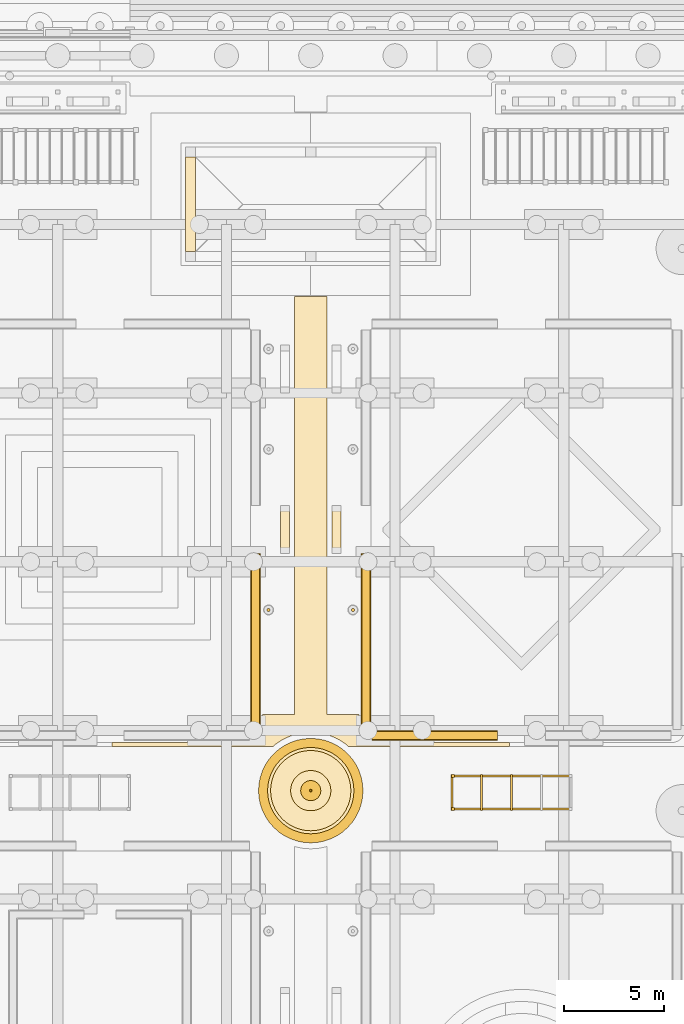
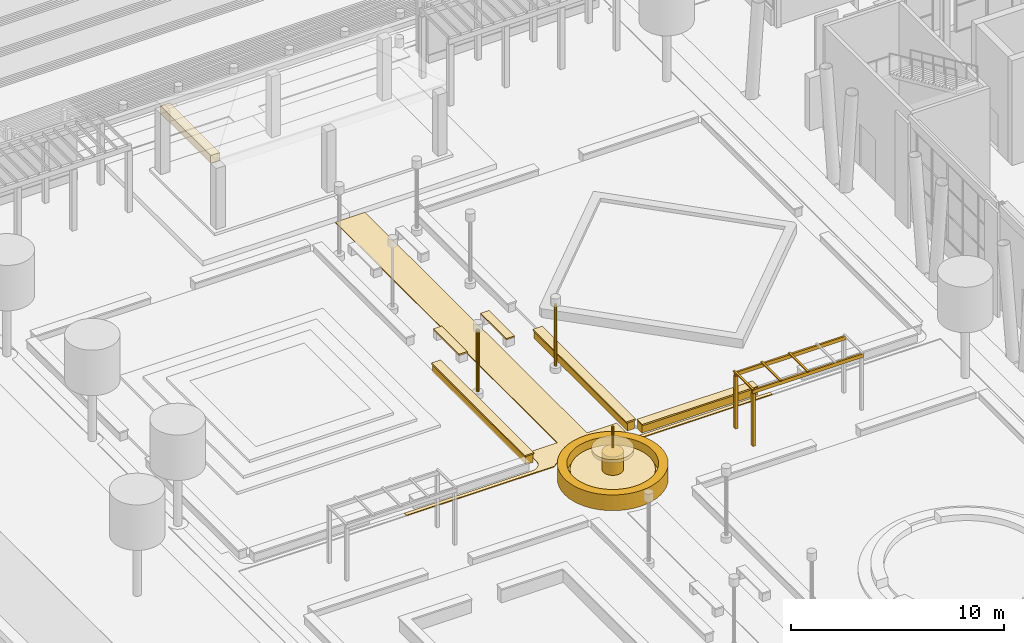
# One storey, part 141 of 222: 18 coverings, 7 shading devices.
"""IFC4 building model written with IfcOpenShell, lengths in metres."""

from ifc_helpers import new_model, si_unit, direction, frame, origin, origin_2d, place, context, subcontext, project, spatial, polyline, rectangle, circle, outline, extrude, material, layer, layer_set, material_profile, profile_set, type_object, element, save


model = new_model("IFC4")

# Units and contexts
model_context = context("Model", 3, precision=1e-05, world=origin(), true_north=direction((0.0, 1.0)))
body_context = subcontext(model_context, "Body", "Model", "MODEL_VIEW")
ifc_project = project(units=[si_unit("LENGTHUNIT", "METRE"), si_unit("AREAUNIT", "SQUARE_METRE"), si_unit("VOLUMEUNIT", "CUBIC_METRE"), si_unit("PLANEANGLEUNIT", "RADIAN"), si_unit("MASSUNIT", "GRAM", prefix="KILO")], contexts=[model_context])

# Site, building, storey
site_placement = place(None, origin())
site = spatial("IfcSite", under=ifc_project, at=site_placement, CompositionType="ELEMENT")
building_placement = place(site_placement, origin())
building = spatial("IfcBuilding", under=site, at=building_placement, Name="Sava Quay Ferry Terminal", CompositionType="ELEMENT")
storey_placement = place(building_placement, origin())
storey = spatial("IfcBuildingStorey", under=building, at=storey_placement, Name="L00", CompositionType="ELEMENT", Elevation=0.0)

# Coverings
ifc_material_1 = material(Name="Glulam GL28h", Category="wood")
ifc_layer_1 = layer(ifc_material_1, 0.449951171875)
ifc_layer_set_1 = layer_set([ifc_layer_1], Name="Glulam GL28h")
covering_type_1 = type_object("IfcCoveringType", Name="Bench seat 450", PredefinedType="CLADDING", material=ifc_layer_set_1)
covering_1_placement = place(storey_placement, frame((0.0, 0.0, 0.419921875)))
element("IfcCovering", 1, at=covering_1_placement, inside=storey, type_object=covering_type_1, Name="Bench seat", PredefinedType="CLADDING", context=body_context, shape_type="SweptSolid", body=[
    extrude(outline(polyline([(19.949951171875, 92.800048828125), (19.949951171875, 95.199951171875), (19.5, 95.199951171875), (19.5, 92.800048828125), (19.949951171875, 92.800048828125)])), origin(), (0.0, 0.0, 1.0), 0.080078125),
])
covering_2_placement = place(storey_placement, frame((0.0, 0.0, 0.419921875)))
element("IfcCovering", 2, at=covering_2_placement, inside=storey, type_object=covering_type_1, Name="Bench seat", PredefinedType="CLADDING", context=body_context, shape_type="SweptSolid", body=[
    extrude(outline(polyline([(22.5, 92.800048828125), (22.5, 95.199951171875), (22.050048828125, 95.199951171875), (22.050048828125, 92.800048828125), (22.5, 92.800048828125)])), origin(), (0.0, 0.0, 1.0), 0.080078125),
])
ifc_material_2 = material(Name="Steel S355", Category="steel")
ifc_layer_2 = layer(ifc_material_2, 0.159912109375)
ifc_layer_set_2 = layer_set([ifc_layer_2], Name="Steel S355")
covering_type_2 = type_object("IfcCoveringType", Name="Lamp standard column 160", PredefinedType="CLADDING", material=ifc_layer_set_2)
for number, where, z_axis, x_axis, name in (
    (3, (18.89990234375, 90.0, 3.800048828125), (0.0, 0.0, -1.0), (1.0, 0.0, 0.0), "Lamp standard column"),
    (4, (23.10009765625, 90.0, 3.800048828125), (0.0, 0.0, -1.0), (1.0, 0.0, 0.0), "Lamp standard column"),
):
    element("IfcCovering", number, at=place(storey_placement, frame(where, z_axis=z_axis, x_axis=x_axis)), inside=storey, type_object=covering_type_2, Name=name, PredefinedType="CLADDING", context=body_context, shape_type="SweptSolid", body=[
        extrude(circle(Radius=0.080078125, at=origin_2d()), origin(), (0.0, 0.0, 1.0), 3.5),
    ])

# Shading devices
ifc_material_3 = material(Name="Glulam GL28h", Category="wood")
ifc_material_profile_1 = material_profile(ifc_material_3, rectangle(XDim=0.10009765625, YDim=0.199951171875, at=origin_2d()), Name="Pergola 100 x 200")
ifc_profile_set_1 = profile_set([ifc_material_profile_1], Name="Glulam GL28h")
shading_device_type_1 = type_object("IfcShadingDeviceType", Name="Pergola beam 100x200", PredefinedType="USERDEFINED", material=ifc_profile_set_1)
for number, where, z_axis, x_axis, name in (
    (5, (28.0, 80.074951171875, 3.10009765625), (1.0, 0.0, 0.0), (0.0, 1.0, 0.0), "Pergola beam"),
    (6, (28.0, 81.72509765625, 3.10009765625), (1.0, 0.0, 0.0), (0.0, 1.0, 0.0), "Pergola beam"),
):
    element("IfcShadingDevice", number, at=place(storey_placement, frame(where, z_axis=z_axis, x_axis=x_axis)), inside=storey, type_object=shading_device_type_1, Name=name, ObjectType="PERGOLA BEAM", PredefinedType="USERDEFINED", context=body_context, shape_type="SweptSolid", body=[
        extrude(rectangle(XDim=0.10009765625, YDim=0.199951171875, at=origin_2d()), origin(), (0.0, 0.0, 1.0), 6.0),
    ])
ifc_material_4 = material(Name="Glulam GL28h", Category="wood")
ifc_material_profile_2 = material_profile(ifc_material_4, rectangle(XDim=0.14990234375, YDim=0.14990234375, at=origin_2d()), Name="Pergola 150 x 150")
ifc_profile_set_2 = profile_set([ifc_material_profile_2], Name="Glulam GL28h")
shading_device_type_2 = type_object("IfcShadingDeviceType", Name="Pergola post 150", PredefinedType="USERDEFINED", material=ifc_profile_set_2)
for number, where, z_axis, x_axis, name in (
    (7, (28.074951171875, 80.074951171875, 0.0), (0.0, 0.0, 1.0), (1.0, 0.0, 0.0), "Pergola post"),
    (8, (28.074951171875, 81.72509765625, 0.0), (0.0, 0.0, 1.0), (1.0, 0.0, 0.0), "Pergola post"),
):
    element("IfcShadingDevice", number, at=place(storey_placement, frame(where, z_axis=z_axis, x_axis=x_axis)), inside=storey, type_object=shading_device_type_2, Name=name, ObjectType="PERGOLA POST", PredefinedType="USERDEFINED", context=body_context, shape_type="SweptSolid", body=[
        extrude(rectangle(XDim=0.14990234375, YDim=0.14990234375, at=origin_2d()), origin(), (0.0, 0.0, 1.0), 3.0),
    ])
ifc_material_5 = material(Name="Glulam GL28h", Category="wood")
ifc_material_profile_3 = material_profile(ifc_material_5, rectangle(XDim=0.06005859375, YDim=0.10009765625, at=origin_2d()), Name="Pergola 60 x 100")
ifc_profile_set_3 = profile_set([ifc_material_profile_3], Name="Glulam GL28h")
shading_device_type_3 = type_object("IfcShadingDeviceType", Name="Pergola rafter 60x100", PredefinedType="USERDEFINED", material=ifc_profile_set_3)
for number, where, z_axis, x_axis, name in (
    (9, (28.030029296875, 80.0, 3.22998046875), (0.0, 1.0, 0.0), (0.0, 0.0, 1.0), "Pergola rafter"),
    (10, (29.514892578125, 80.0, 3.22998046875), (0.0, 1.0, 0.0), (0.0, 0.0, 1.0), "Pergola rafter"),
    (11, (31.0, 80.0, 3.22998046875), (0.0, 1.0, 0.0), (0.0, 0.0, 1.0), "Pergola rafter"),
):
    element("IfcShadingDevice", number, at=place(storey_placement, frame(where, z_axis=z_axis, x_axis=x_axis)), inside=storey, type_object=shading_device_type_3, Name=name, ObjectType="PERGOLA RAFTER", PredefinedType="USERDEFINED", context=body_context, shape_type="SweptSolid", body=[
        extrude(rectangle(XDim=0.06005859375, YDim=0.10009765625, at=origin_2d()), origin(), (0.0, 0.0, 1.0), 1.800048828125),
    ])

# Coverings
ifc_material_6 = material(Name="Limestone Mutalj", Category="masonry")
ifc_layer_3 = layer(ifc_material_6, 0.199951171875)
ifc_layer_set_3 = layer_set([ifc_layer_3], Name="Limestone Mutalj")
covering_type_3 = type_object("IfcCoveringType", Name="Plaza fountain bowl 2000", PredefinedType="MOLDING", material=ifc_layer_set_3)
covering_3_placement = place(storey_placement, frame((21.0, 81.0, 1.800048828125), z_axis=(0.0, 0.0, -1.0), x_axis=(1.0, 0.0, 0.0)))
element("IfcCovering", 12, at=covering_3_placement, inside=storey, type_object=covering_type_3, Name="Fountain bowl", PredefinedType="MOLDING", context=body_context, shape_type="SweptSolid", body=[
    extrude(circle(Radius=1.0, at=origin_2d()), origin(), (0.0, 0.0, 1.0), 0.199951171875),
])
ifc_material_7 = material(Name="Limestone Mutalj", Category="masonry")
ifc_layer_4 = layer(ifc_material_7, 0.25)
ifc_layer_set_4 = layer_set([ifc_layer_4], Name="Limestone Mutalj")
covering_type_4 = type_object("IfcCoveringType", Name="Plaza fountain floor 4300", PredefinedType="FLOORING", material=ifc_layer_set_4)
covering_4_placement = place(storey_placement, origin())
element("IfcCovering", 13, at=covering_4_placement, inside=storey, type_object=covering_type_4, Name="Fountain floor", PredefinedType="FLOORING", context=body_context, shape_type="SweptSolid", body=[
    extrude(outline(polyline([(23.14990234375, 81.0), (23.132080078125, 81.281005859375), (23.076904296875, 81.555908203125), (22.986083984375, 81.822998046875), (22.862060546875, 82.074951171875), (22.7060546875, 82.30908203125), (22.52001953125, 82.52001953125), (22.30908203125, 82.7060546875), (22.074951171875, 82.862060546875), (21.822998046875, 82.986083984375), (21.555908203125, 83.076904296875), (21.281005859375, 83.132080078125), (21.0, 83.14990234375), (20.718994140625, 83.132080078125), (20.444091796875, 83.076904296875), (20.177001953125, 82.986083984375), (19.925048828125, 82.862060546875), (19.69091796875, 82.7060546875), (19.47998046875, 82.52001953125), (19.2939453125, 82.30908203125), (19.137939453125, 82.074951171875), (19.013916015625, 81.822998046875), (18.923095703125, 81.555908203125), (18.867919921875, 81.281005859375), (18.85009765625, 81.0), (18.867919921875, 80.718994140625), (18.923095703125, 80.444091796875), (19.013916015625, 80.177001953125), (19.137939453125, 79.925048828125), (19.2939453125, 79.69091796875), (19.47998046875, 79.47998046875), (19.69091796875, 79.2939453125), (19.925048828125, 79.137939453125), (20.177001953125, 79.013916015625), (20.444091796875, 78.923095703125), (20.718994140625, 78.867919921875), (21.0, 78.85009765625), (21.281005859375, 78.867919921875), (21.555908203125, 78.923095703125), (21.822998046875, 79.013916015625), (22.074951171875, 79.137939453125), (22.30908203125, 79.2939453125), (22.52001953125, 79.47998046875), (22.7060546875, 79.69091796875), (22.862060546875, 79.925048828125), (22.986083984375, 80.177001953125), (23.076904296875, 80.444091796875), (23.132080078125, 80.718994140625), (23.14990234375, 81.0)])), origin(), (0.0, 0.0, 1.0), 0.25),
])
ifc_material_8 = material(Name="Water")
ifc_layer_5 = layer(ifc_material_8, 0.1201171875)
ifc_layer_set_5 = layer_set([ifc_layer_5], Name="Water")
covering_type_5 = type_object("IfcCoveringType", Name="Plaza fountain jet 120", PredefinedType="CLADDING", material=ifc_layer_set_5)
covering_5_placement = place(storey_placement, frame((21.0, 81.0, 3.0), z_axis=(0.0, 0.0, -1.0), x_axis=(1.0, 0.0, 0.0)))
element("IfcCovering", 14, at=covering_5_placement, inside=storey, type_object=covering_type_5, Name="Fountain jet", PredefinedType="CLADDING", context=body_context, shape_type="SweptSolid", body=[
    extrude(circle(Radius=0.06005859375, at=origin_2d()), origin(), (0.0, 0.0, 1.0), 1.199951171875),
])
ifc_material_9 = material(Name="Limestone Mutalj", Category="masonry")
ifc_layer_6 = layer(ifc_material_9, 1.0)
ifc_layer_set_6 = layer_set([ifc_layer_6], Name="Limestone Mutalj")
covering_type_6 = type_object("IfcCoveringType", Name="Plaza fountain pedestal 1000", PredefinedType="CLADDING", material=ifc_layer_set_6)
covering_6_placement = place(storey_placement, frame((21.0, 81.0, 1.60009765625), z_axis=(0.0, 0.0, -1.0), x_axis=(1.0, 0.0, 0.0)))
element("IfcCovering", 15, at=covering_6_placement, inside=storey, type_object=covering_type_6, Name="Fountain pedestal", PredefinedType="CLADDING", context=body_context, shape_type="SweptSolid", body=[
    extrude(circle(Radius=0.5, at=origin_2d()), origin(), (0.0, 0.0, 1.0), 1.35009765625),
])
ifc_material_10 = material(Name="Limestone Mutalj", Category="masonry")
ifc_layer_7 = layer(ifc_material_10, 0.449951171875)
ifc_layer_set_7 = layer_set([ifc_layer_7], Name="Limestone Mutalj")
covering_type_7 = type_object("IfcCoveringType", Name="Plaza fountain rim 450", PredefinedType="MOLDING", material=ifc_layer_set_7)
covering_7_placement = place(storey_placement, origin())
element("IfcCovering", 16, at=covering_7_placement, inside=storey, type_object=covering_type_7, Name="Fountain rim", PredefinedType="MOLDING", context=body_context, shape_type="SweptSolid", body=[
    extrude(outline(polyline([(23.577880859375, 80.660888671875), (23.60009765625, 81.0), (23.577880859375, 81.339111328125), (23.510986328125, 81.673095703125), (23.402099609375, 81.9951171875), (23.251953125, 82.300048828125), (23.06298828125, 82.5830078125), (22.837890625, 82.837890625), (22.5830078125, 83.06298828125), (22.300048828125, 83.251953125), (21.9951171875, 83.402099609375), (21.673095703125, 83.510986328125), (21.339111328125, 83.577880859375), (21.0, 83.60009765625), (20.660888671875, 83.577880859375), (20.326904296875, 83.510986328125), (20.0048828125, 83.402099609375), (19.699951171875, 83.251953125), (19.4169921875, 83.06298828125), (19.162109375, 82.837890625), (18.93701171875, 82.5830078125), (18.748046875, 82.300048828125), (18.597900390625, 81.9951171875), (18.489013671875, 81.673095703125), (18.422119140625, 81.339111328125), (18.39990234375, 81.0), (18.422119140625, 80.660888671875), (18.489013671875, 80.326904296875), (18.597900390625, 80.0048828125), (18.748046875, 79.699951171875), (18.93701171875, 79.4169921875), (19.162109375, 79.162109375), (19.4169921875, 78.93701171875), (19.699951171875, 78.748046875), (20.0048828125, 78.597900390625), (20.326904296875, 78.489013671875), (20.660888671875, 78.422119140625), (21.0, 78.39990234375), (21.339111328125, 78.422119140625), (21.673095703125, 78.489013671875), (21.9951171875, 78.597900390625), (22.300048828125, 78.748046875), (22.5830078125, 78.93701171875), (22.837890625, 79.162109375), (23.06298828125, 79.4169921875), (23.251953125, 79.699951171875), (23.402099609375, 80.0048828125), (23.510986328125, 80.326904296875), (23.577880859375, 80.660888671875)]), holes=[polyline([(23.132080078125, 81.281005859375), (23.14990234375, 81.0), (23.132080078125, 80.718994140625), (23.076904296875, 80.444091796875), (22.986083984375, 80.177001953125), (22.862060546875, 79.925048828125), (22.7060546875, 79.69091796875), (22.52001953125, 79.47998046875), (22.30908203125, 79.2939453125), (22.074951171875, 79.137939453125), (21.822998046875, 79.013916015625), (21.555908203125, 78.923095703125), (21.281005859375, 78.867919921875), (21.0, 78.85009765625), (20.718994140625, 78.867919921875), (20.444091796875, 78.923095703125), (20.177001953125, 79.013916015625), (19.925048828125, 79.137939453125), (19.69091796875, 79.2939453125), (19.47998046875, 79.47998046875), (19.2939453125, 79.69091796875), (19.137939453125, 79.925048828125), (19.013916015625, 80.177001953125), (18.923095703125, 80.444091796875), (18.867919921875, 80.718994140625), (18.85009765625, 81.0), (18.867919921875, 81.281005859375), (18.923095703125, 81.555908203125), (19.013916015625, 81.822998046875), (19.137939453125, 82.074951171875), (19.2939453125, 82.30908203125), (19.47998046875, 82.52001953125), (19.69091796875, 82.7060546875), (19.925048828125, 82.862060546875), (20.177001953125, 82.986083984375), (20.444091796875, 83.076904296875), (20.718994140625, 83.132080078125), (21.0, 83.14990234375), (21.281005859375, 83.132080078125), (21.555908203125, 83.076904296875), (21.822998046875, 82.986083984375), (22.074951171875, 82.862060546875), (22.30908203125, 82.7060546875), (22.52001953125, 82.52001953125), (22.7060546875, 82.30908203125), (22.862060546875, 82.074951171875), (22.986083984375, 81.822998046875), (23.076904296875, 81.555908203125), (23.132080078125, 81.281005859375)])]), origin(), (0.0, 0.0, 1.0), 0.89990234375),
])
ifc_material_11 = material(Name="Water")
ifc_layer_8 = layer(ifc_material_11, 0.300048828125)
ifc_layer_set_8 = layer_set([ifc_layer_8], Name="Water")
covering_type_8 = type_object("IfcCoveringType", Name="Plaza fountain water ring", PredefinedType="FLOORING", material=ifc_layer_set_8)
covering_8_placement = place(storey_placement, frame((0.0, 0.0, 0.25)))
element("IfcCovering", 17, at=covering_8_placement, inside=storey, type_object=covering_type_8, Name="Fountain water", PredefinedType="FLOORING", context=body_context, shape_type="SweptSolid", body=[
    extrude(outline(polyline([(22.98291015625, 80.739013671875), (23.0, 81.0), (22.98291015625, 81.260986328125), (22.931884765625, 81.51806640625), (22.847900390625, 81.764892578125), (22.73193359375, 82.0), (22.5869140625, 82.218017578125), (22.4140625, 82.4140625), (22.218017578125, 82.5869140625), (22.0, 82.73193359375), (21.764892578125, 82.847900390625), (21.51806640625, 82.931884765625), (21.260986328125, 82.98291015625), (21.0, 83.0), (20.739013671875, 82.98291015625), (20.48193359375, 82.931884765625), (20.235107421875, 82.847900390625), (20.0, 82.73193359375), (19.781982421875, 82.5869140625), (19.5859375, 82.4140625), (19.4130859375, 82.218017578125), (19.26806640625, 82.0), (19.152099609375, 81.764892578125), (19.068115234375, 81.51806640625), (19.01708984375, 81.260986328125), (19.0, 81.0), (19.01708984375, 80.739013671875), (19.068115234375, 80.48193359375), (19.152099609375, 80.235107421875), (19.26806640625, 80.0), (19.4130859375, 79.781982421875), (19.5859375, 79.5859375), (19.781982421875, 79.4130859375), (20.0, 79.26806640625), (20.235107421875, 79.152099609375), (20.48193359375, 79.068115234375), (20.739013671875, 79.01708984375), (21.0, 79.0), (21.260986328125, 79.01708984375), (21.51806640625, 79.068115234375), (21.764892578125, 79.152099609375), (22.0, 79.26806640625), (22.218017578125, 79.4130859375), (22.4140625, 79.5859375), (22.5869140625, 79.781982421875), (22.73193359375, 80.0), (22.847900390625, 80.235107421875), (22.931884765625, 80.48193359375), (22.98291015625, 80.739013671875)]), holes=[polyline([(21.49609375, 81.06494140625), (21.5, 81.0), (21.49609375, 80.93505859375), (21.48291015625, 80.87109375), (21.4619140625, 80.80908203125), (21.43310546875, 80.75), (21.39697265625, 80.696044921875), (21.35400390625, 80.64599609375), (21.303955078125, 80.60302734375), (21.25, 80.56689453125), (21.19091796875, 80.5380859375), (21.12890625, 80.51708984375), (21.06494140625, 80.50390625), (21.0, 80.5), (20.93505859375, 80.50390625), (20.87109375, 80.51708984375), (20.80908203125, 80.5380859375), (20.75, 80.56689453125), (20.696044921875, 80.60302734375), (20.64599609375, 80.64599609375), (20.60302734375, 80.696044921875), (20.56689453125, 80.75), (20.5380859375, 80.80908203125), (20.51708984375, 80.87109375), (20.50390625, 80.93505859375), (20.5, 81.0), (20.50390625, 81.06494140625), (20.51708984375, 81.12890625), (20.5380859375, 81.19091796875), (20.56689453125, 81.25), (20.60302734375, 81.303955078125), (20.64599609375, 81.35400390625), (20.696044921875, 81.39697265625), (20.75, 81.43310546875), (20.80908203125, 81.4619140625), (20.87109375, 81.48291015625), (20.93505859375, 81.49609375), (21.0, 81.5), (21.06494140625, 81.49609375), (21.12890625, 81.48291015625), (21.19091796875, 81.4619140625), (21.25, 81.43310546875), (21.303955078125, 81.39697265625), (21.35400390625, 81.35400390625), (21.39697265625, 81.303955078125), (21.43310546875, 81.25), (21.4619140625, 81.19091796875), (21.48291015625, 81.12890625), (21.49609375, 81.06494140625)])]), origin(), (0.0, 0.0, 1.0), 0.300048828125),
])
ifc_material_12 = material(Name="Limestone Mutalj", Category="masonry")
ifc_layer_9 = layer(ifc_material_12, 0.050048828125)
ifc_layer_set_9 = layer_set([ifc_layer_9], Name="Limestone Mutalj")
covering_type_9 = type_object("IfcCoveringType", Name="Stone paving band 50", PredefinedType="FLOORING", material=ifc_layer_set_9)
covering_9_placement = place(storey_placement, origin())
element("IfcCovering", 18, at=covering_9_placement, inside=storey, type_object=covering_type_9, Name="Stone paving band", PredefinedType="FLOORING", context=body_context, shape_type="SweptSolid", body=[
    extrude(outline(polyline([(23.39990234375, 84.0), (23.39990234375, 84.800048828125), (21.800048828125, 84.800048828125), (21.800048828125, 105.60009765625), (20.199951171875, 105.60009765625), (20.199951171875, 84.800048828125), (18.60009765625, 84.800048828125), (18.60009765625, 84.0), (18.596923828125, 83.94091796875), (18.587890625, 83.883056640625), (18.573974609375, 83.825927734375), (18.553955078125, 83.77001953125), (18.529052734375, 83.717041015625), (18.4990234375, 83.6669921875), (18.464111328125, 83.618896484375), (18.424072265625, 83.575927734375), (18.381103515625, 83.535888671875), (18.3330078125, 83.5009765625), (18.282958984375, 83.470947265625), (18.22998046875, 83.446044921875), (18.174072265625, 83.426025390625), (18.116943359375, 83.412109375), (18.05908203125, 83.403076171875), (18.0, 83.39990234375), (11.10009765625, 83.39990234375), (11.10009765625, 83.199951171875), (19.1201171875, 83.199951171875), (19.235107421875, 83.301025390625), (19.550048828125, 83.510986328125), (19.889892578125, 83.678955078125), (20.2490234375, 83.801025390625), (20.62109375, 83.875), (21.0, 83.89990234375), (21.37890625, 83.875), (21.7509765625, 83.801025390625), (22.110107421875, 83.678955078125), (22.449951171875, 83.510986328125), (22.764892578125, 83.301025390625), (22.8798828125, 83.199951171875), (30.89990234375, 83.199951171875), (30.89990234375, 83.39990234375), (24.0, 83.39990234375), (23.94091796875, 83.403076171875), (23.883056640625, 83.412109375), (23.825927734375, 83.426025390625), (23.77001953125, 83.446044921875), (23.717041015625, 83.470947265625), (23.6669921875, 83.5009765625), (23.618896484375, 83.535888671875), (23.575927734375, 83.575927734375), (23.535888671875, 83.618896484375), (23.5009765625, 83.6669921875), (23.470947265625, 83.717041015625), (23.446044921875, 83.77001953125), (23.426025390625, 83.825927734375), (23.412109375, 83.883056640625), (23.403076171875, 83.94091796875), (23.39990234375, 84.0)])), origin(), (0.0, 0.0, 1.0), 0.050048828125),
])
ifc_material_13 = material(Name="Limestone Mutalj", Category="masonry")
ifc_layer_10 = layer(ifc_material_13, 0.080078125)
ifc_layer_set_10 = layer_set([ifc_layer_10], Name="Limestone Mutalj")
covering_type_10 = type_object("IfcCoveringType", Name="Terrace parterre coping 500", PredefinedType="MOLDING", material=ifc_layer_set_10)
covering_10_placement = place(storey_placement, frame((0.0, 0.0, 0.449951171875)))
element("IfcCovering", 19, at=covering_10_placement, inside=storey, type_object=covering_type_10, Name="Parterre wall coping", PredefinedType="MOLDING", context=body_context, shape_type="SweptSolid", body=[
    extrude(outline(polyline([(18.5, 92.800048828125), (18.0, 92.800048828125), (18.0, 84.050048828125), (18.5, 84.050048828125), (18.5, 92.800048828125)])), origin(), (0.0, 0.0, 1.0), 0.080078125),
])
covering_11_placement = place(storey_placement, frame((0.0, 0.0, 0.449951171875)))
element("IfcCovering", 20, at=covering_11_placement, inside=storey, type_object=covering_type_10, Name="Parterre wall coping", PredefinedType="MOLDING", context=body_context, shape_type="SweptSolid", body=[
    extrude(outline(polyline([(24.0, 84.050048828125), (24.0, 92.800048828125), (23.5, 92.800048828125), (23.5, 84.050048828125), (24.0, 84.050048828125)])), origin(), (0.0, 0.0, 1.0), 0.080078125),
])
covering_12_placement = place(storey_placement, frame((0.0, 0.0, 0.449951171875)))
element("IfcCovering", 21, at=covering_12_placement, inside=storey, type_object=covering_type_10, Name="Parterre wall coping", PredefinedType="MOLDING", context=body_context, shape_type="SweptSolid", body=[
    extrude(outline(polyline([(30.300048828125, 83.5), (30.300048828125, 84.0), (24.050048828125, 84.0), (24.050048828125, 83.5), (30.300048828125, 83.5)])), origin(), (0.0, 0.0, 1.0), 0.080078125),
])
ifc_material_14 = material(Name="Limestone Mutalj", Category="masonry")
ifc_layer_11 = layer(ifc_material_14, 0.39990234375)
ifc_layer_set_11 = layer_set([ifc_layer_11], Name="Limestone Mutalj")
covering_type_11 = type_object("IfcCoveringType", Name="Terrace parterre wall 400", PredefinedType="CLADDING", material=ifc_layer_set_11)
covering_13_placement = place(storey_placement, origin())
element("IfcCovering", 22, at=covering_13_placement, inside=storey, type_object=covering_type_11, Name="Parterre wall", PredefinedType="CLADDING", context=body_context, shape_type="SweptSolid", body=[
    extrude(outline(polyline([(18.449951171875, 92.800048828125), (18.050048828125, 92.800048828125), (18.050048828125, 84.050048828125), (18.449951171875, 84.050048828125), (18.449951171875, 92.800048828125)])), origin(), (0.0, 0.0, 1.0), 0.449951171875),
])
covering_14_placement = place(storey_placement, origin())
element("IfcCovering", 23, at=covering_14_placement, inside=storey, type_object=covering_type_11, Name="Parterre wall", PredefinedType="CLADDING", context=body_context, shape_type="SweptSolid", body=[
    extrude(outline(polyline([(23.949951171875, 84.050048828125), (23.949951171875, 92.800048828125), (23.550048828125, 92.800048828125), (23.550048828125, 84.050048828125), (23.949951171875, 84.050048828125)])), origin(), (0.0, 0.0, 1.0), 0.449951171875),
])
covering_15_placement = place(storey_placement, origin())
element("IfcCovering", 24, at=covering_15_placement, inside=storey, type_object=covering_type_11, Name="Parterre wall", PredefinedType="CLADDING", context=body_context, shape_type="SweptSolid", body=[
    extrude(outline(polyline([(30.300048828125, 83.550048828125), (30.300048828125, 83.949951171875), (24.050048828125, 83.949951171875), (24.050048828125, 83.550048828125), (30.300048828125, 83.550048828125)])), origin(), (0.0, 0.0, 1.0), 0.449951171875),
])
ifc_material_15 = material(Name="Limestone Mutalj", Category="masonry")
ifc_layer_12 = layer(ifc_material_15, 0.5)
ifc_layer_set_12 = layer_set([ifc_layer_12], Name="Limestone Mutalj")
covering_type_12 = type_object("IfcCoveringType", Name="Terrace pavilion architrave 450", PredefinedType="MOLDING", material=ifc_layer_set_12)
covering_16_placement = place(storey_placement, frame((0.0, 0.0, 3.949951171875)))
element("IfcCovering", 25, at=covering_16_placement, inside=storey, type_object=covering_type_12, Name="Pavilion architrave", PredefinedType="MOLDING", context=body_context, shape_type="SweptSolid", body=[
    extrude(outline(polyline([(15.25, 107.85009765625), (15.25, 112.550048828125), (14.75, 112.550048828125), (14.75, 107.85009765625), (15.25, 107.85009765625)])), origin(), (0.0, 0.0, 1.0), 0.449951171875),
])

save(model, "model.ifc")
